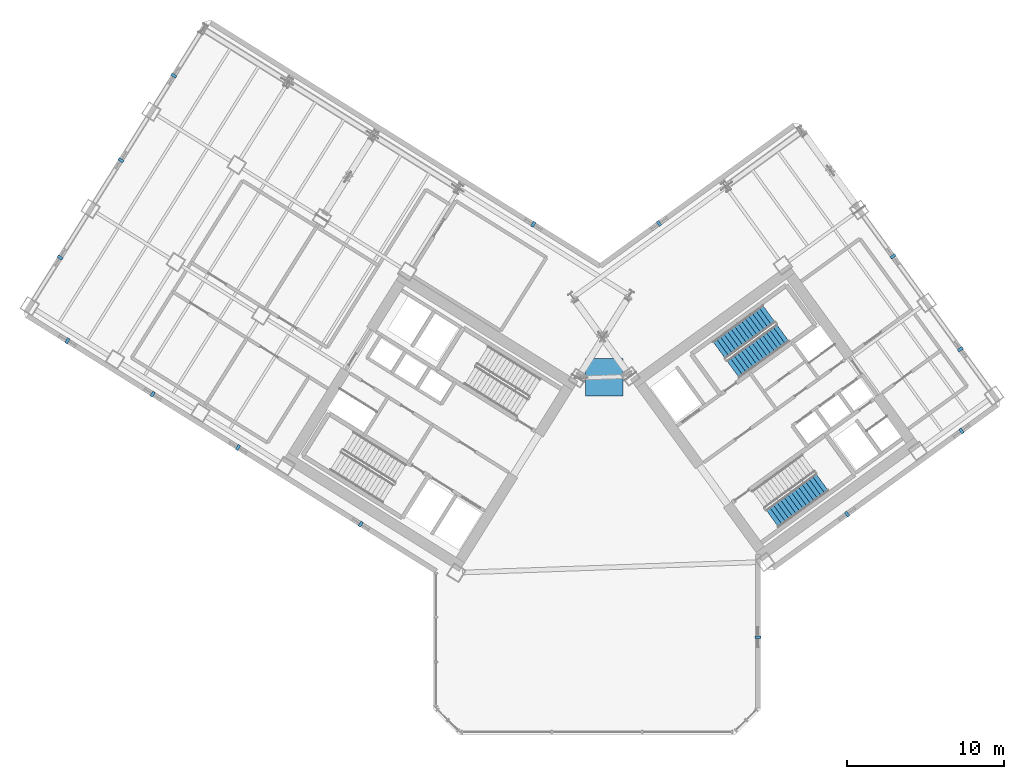
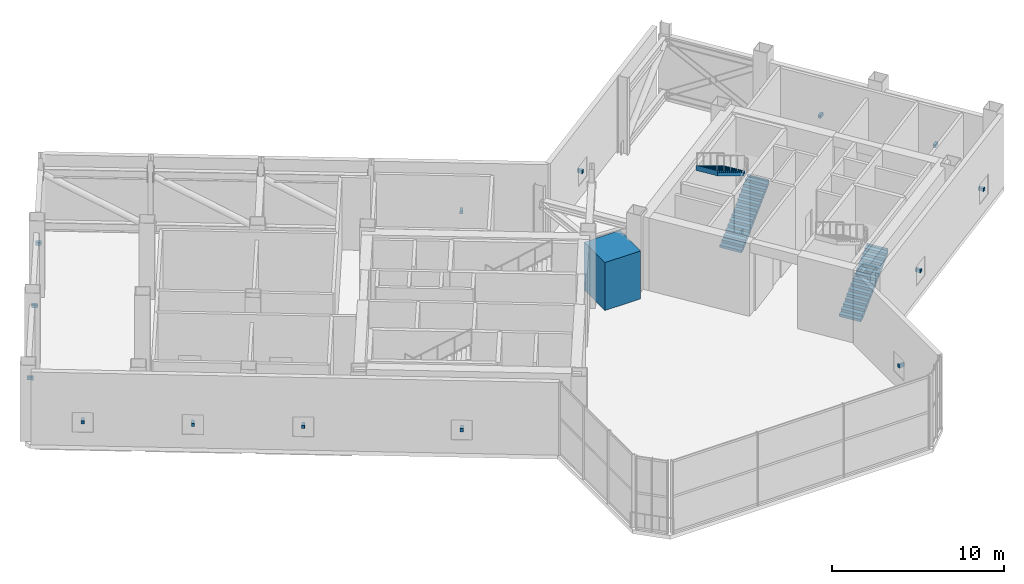
# One storey, part 17 of 21: 15 discrete accessories, 3 stair flights, 2 elements without a shape of their own.
"""IFC4 building model written with IfcOpenShell, lengths in metres."""

from ifc_helpers import new_model, si_unit, direction, frame, origin, origin_2d, place, context, subcontext, project, spatial, polyline, rectangle, outline, extrude, source, transform, mapped, material, type_object, element, aggregate, save


model = new_model("IFC4")

# Units and contexts
model_context = context("Model", 3, precision=1e-05, world=origin(), true_north=direction((0.0, 1.0)))
body_context = subcontext(model_context, "Body", "Model", "MODEL_VIEW")
ifc_project = project(units=[si_unit("LENGTHUNIT", "METRE"), si_unit("AREAUNIT", "SQUARE_METRE"), si_unit("VOLUMEUNIT", "CUBIC_METRE"), si_unit("PLANEANGLEUNIT", "RADIAN"), si_unit("MASSUNIT", "GRAM", prefix="KILO")], contexts=[model_context])

# Site, building, storey
site_placement = place(None, origin())
site = spatial("IfcSite", under=ifc_project, at=site_placement, CompositionType="ELEMENT")
building_placement = place(site_placement, origin())
building = spatial("IfcBuilding", under=site, at=building_placement, Name="Tlacorven Tower", CompositionType="ELEMENT")
storey_placement = place(building_placement, frame((0.0, 0.0, 84.60009765625)))
storey = spatial("IfcBuildingStorey", under=building, at=storey_placement, Name="L21", CompositionType="ELEMENT", Elevation=84.60009765625)

# Stair, stair flights
ifc_material_1 = material(Name="Concrete C40/50", Category="concrete")
stair_type = type_object("IfcStairType", Name="ST-CORE-DLG", PredefinedType="HALF_TURN_STAIR", material=ifc_material_1)
stair_1_placement = place(storey_placement, origin())
stair_1 = element("IfcStair", 1, at=stair_1_placement, inside=storey, type_object=stair_type, Name="L21 Protected Exit Stair East 1", PredefinedType="HALF_TURN_STAIR")
stair_flight_type = type_object("IfcStairFlightType", Name="SFL-RC-1380", PredefinedType="STRAIGHT", material=ifc_material_1)
shared_shape_1 = source(origin(), body_context, "Body", "SweptSolid", [
    extrude(outline(polyline([(-0.0029296875, -0.0029296875), (-0.0029296875, 0.179931640625), (0.280029296875, 0.179931640625), (0.280029296875, 0.360107421875), (0.56005859375, 0.360107421875), (0.56005859375, 0.5400390625), (0.840087890625, 0.5400390625), (0.840087890625, 0.719970703125), (1.1201171875, 0.719970703125), (1.1201171875, 0.89990234375), (1.39990234375, 0.89990234375), (1.39990234375, 1.080078125), (1.679931640625, 1.080078125), (1.679931640625, 1.260009765625), (1.9599609375, 1.260009765625), (1.9599609375, 1.43994140625), (2.239990234375, 1.43994140625), (2.239990234375, 1.6201171875), (2.52001953125, 1.6201171875), (2.52001953125, 1.800048828125), (2.800048828125, 1.800048828125), (2.800048828125, 1.97998046875), (3.080078125, 1.97998046875), (3.080078125, 2.159912109375), (3.360107421875, 2.159912109375), (3.360107421875, 2.340087890625), (3.639892578125, 2.340087890625), (3.639892578125, 2.52001953125), (3.919921875, 2.52001953125), (3.919921875, 2.699951171875), (3.923095703125, 2.699951171875), (3.923095703125, 2.329833984375), (3.919921875, 2.329833984375), (0.295654296875, 0.0), (0.295654296875, -0.0029296875), (-0.0029296875, -0.0029296875)])), frame((0.0, 0.68994140625, 0.0), z_axis=(0.0, -1.0, 0.0), x_axis=(1.0, 0.0, 0.0)), (0.0, 0.0, 1.0), 1.3798828125),
])
stair_flight_1_placement = place(storey_placement, frame((50.6533203125, 25.0400390625, 0.0), z_axis=(0.0, 0.0, 1.0), x_axis=(0.809016994375, 0.587785252292, 0.0)))
stair_flight_1 = element("IfcStairFlight", 2, at=stair_flight_1_placement, type_object=stair_flight_type, Name="ST-E1 flight 1", NumberOfRisers=15, NumberOfTreads=14, PredefinedType="STRAIGHT", RiserHeight=0.18, TreadLength=0.28, context=body_context, shape_type="MappedRepresentation", body=[
    mapped(shared_shape_1, transform((0.0, 0.0, 0.0), scale=1.0)),
])
stair_flight_2_placement = place(storey_placement, frame((52.943115234375, 28.5576171875, 2.699951171875), z_axis=(0.0, 0.0, 1.0), x_axis=(-0.809016994375, -0.587785252292, 0.0)))
stair_flight_2 = element("IfcStairFlight", 3, at=stair_flight_2_placement, type_object=stair_flight_type, Name="ST-E1 flight 2", NumberOfRisers=15, NumberOfTreads=14, PredefinedType="STRAIGHT", RiserHeight=0.18, TreadLength=0.28, context=body_context, shape_type="MappedRepresentation", body=[
    mapped(shared_shape_1, transform((0.0, 0.0, 0.0), scale=1.0)),
])
aggregate(stair_1, [stair_flight_1, stair_flight_2])

# Stair, stair flight
stair_2_placement = place(storey_placement, origin())
stair_2 = element("IfcStair", 4, at=stair_2_placement, inside=storey, type_object=stair_type, Name="L21 Protected Exit Stair East 2", PredefinedType="HALF_TURN_STAIR")
stair_flight_3_placement = place(storey_placement, frame((53.157470703125, 15.536865234375, 0.0), z_axis=(0.0, 0.0, 1.0), x_axis=(0.809016994375, 0.587785252292, 0.0)))
stair_flight_3 = element("IfcStairFlight", 5, at=stair_flight_3_placement, type_object=stair_flight_type, Name="ST-E2 flight 1", NumberOfRisers=15, NumberOfTreads=14, PredefinedType="STRAIGHT", RiserHeight=0.18, TreadLength=0.28, context=body_context, shape_type="MappedRepresentation", body=[
    mapped(shared_shape_1, transform((0.0, 0.0, 0.0), scale=1.0)),
])
aggregate(stair_2, [stair_flight_3])

# Discrete accessories
ifc_material_2 = material(Name="Aluminium 6063-T6 anodised", Category="aluminium")
discrete_accessory_type_1 = type_object("IfcDiscreteAccessoryType", Name="ACC-TRB-01", PredefinedType="BRACKET", material=ifc_material_2)
shared_shape_2 = source(origin(), body_context, "Body", "SweptSolid", [
    extrude(rectangle(XDim=2.39990234375, YDim=2.39990234375, at=origin_2d()), origin(), (0.0, 0.0, 1.0), 3.39990234375),
])
discrete_accessory_placement = place(storey_placement, frame((42.453369140625, 24.526611328125, 0.050048828125), z_axis=(0.0, 0.0, 1.0), x_axis=(1.0, 0.0, 0.0)))
element("IfcDiscreteAccessory", 6, at=discrete_accessory_placement, inside=storey, type_object=discrete_accessory_type_1, Name="L21 Vertical-Axis Venturi Wind Turbine Rotor", PredefinedType="BRACKET", context=body_context, shape_type="MappedRepresentation", body=[
    mapped(shared_shape_2, transform((0.0, 0.0, 0.0), scale=1.0)),
])
ifc_material_3 = material(Name="Steel S355J2", Category="steel")
discrete_accessory_type_2 = type_object("IfcDiscreteAccessoryType", Name="ACC-BRK-01", PredefinedType="BRACKET", material=ifc_material_3)
shared_shape_3 = source(origin(), body_context, "Body", "SweptSolid", [
    extrude(rectangle(XDim=0.179931640625, YDim=0.360107421875, at=origin_2d()), origin(), (0.0, 0.0, 1.0), 0.219970703125),
])
for number, where, z_axis, x_axis, name in (
    (7, (26.965087890625, 15.17919921875, 1.5400390625), (0.0, 0.0, 1.0), (-0.848048152806, 0.529919173576, 0.0), "L21 Louvre Fixing Bracket 1.1"),
    (8, (19.159423828125, 20.056640625, 1.5400390625), (0.0, 0.0, 1.0), (-0.848048152806, 0.529919173576, 0.0), "L21 Louvre Fixing Bracket 1.2"),
    (9, (13.73193359375, 23.4482421875, 1.5400390625), (0.0, 0.0, 1.0), (-0.848048152806, 0.529919173576, 0.0), "L21 Louvre Fixing Bracket 1.3"),
    (10, (8.304443359375, 26.839599609375, 1.5400390625), (0.0, 0.0, 1.0), (-0.848048152806, 0.529919173576, 0.0), "L21 Louvre Fixing Bracket 1.4"),
    (11, (7.8427734375, 32.1396484375, 1.5400390625), (0.0, 0.0, 1.0), (0.529919147866, 0.848048168871, 0.0), "L21 Louvre Fixing Bracket 2.1"),
    (12, (11.711181640625, 38.330322265625, 1.5400390625), (0.0, 0.0, 1.0), (0.529919147866, 0.848048168871, 0.0), "L21 Louvre Fixing Bracket 2.2"),
    (13, (15.076171875, 43.715576171875, 1.5400390625), (0.0, 0.0, 1.0), (0.529919147866, 0.848048168871, 0.0), "L21 Louvre Fixing Bracket 2.3"),
    (14, (37.94970703125, 34.257080078125, 1.5400390625), (0.0, 0.0, 1.0), (0.848048220257, -0.52991906563, 0.0), "L21 Louvre Fixing Bracket 3.1"),
    (15, (45.9423828125, 34.311767578125, 1.5400390625), (0.0, 0.0, 1.0), (0.809016703631, 0.587785652468, 0.0), "L21 Louvre Fixing Bracket 4.1"),
    (16, (60.83154296875, 32.21240234375, 1.5400390625), (0.0, 0.0, 1.0), (0.587785363163, -0.809016913823, 0.0), "L21 Louvre Fixing Bracket 5.1"),
    (17, (65.122314453125, 26.306396484375, 1.5400390625), (0.0, 0.0, 1.0), (0.587785363163, -0.809016913823, 0.0), "L21 Louvre Fixing Bracket 5.2"),
    (18, (65.193359375, 21.104736328125, 1.5400390625), (0.0, 0.0, 1.0), (-0.809016829126, -0.587785479738, 0.0), "L21 Louvre Fixing Bracket 6.1"),
    (19, (57.912109375, 15.814697265625, 1.5400390625), (0.0, 0.0, 1.0), (-0.809016829126, -0.587785479738, 0.0), "L21 Louvre Fixing Bracket 6.2"),
    (20, (52.239990234375, 7.984619140625, 1.5400390625), (0.0, 0.0, 1.0), (0.0, -1.0, 0.0), "L21 Louvre Fixing Bracket 7.1"),
):
    element("IfcDiscreteAccessory", number, at=place(storey_placement, frame(where, z_axis=z_axis, x_axis=x_axis)), inside=storey, type_object=discrete_accessory_type_2, Name=name, PredefinedType="BRACKET", context=body_context, shape_type="MappedRepresentation", body=[
        mapped(shared_shape_3, transform((0.0, 0.0, 0.0), scale=1.0)),
    ])

save(model, "model.ifc")
